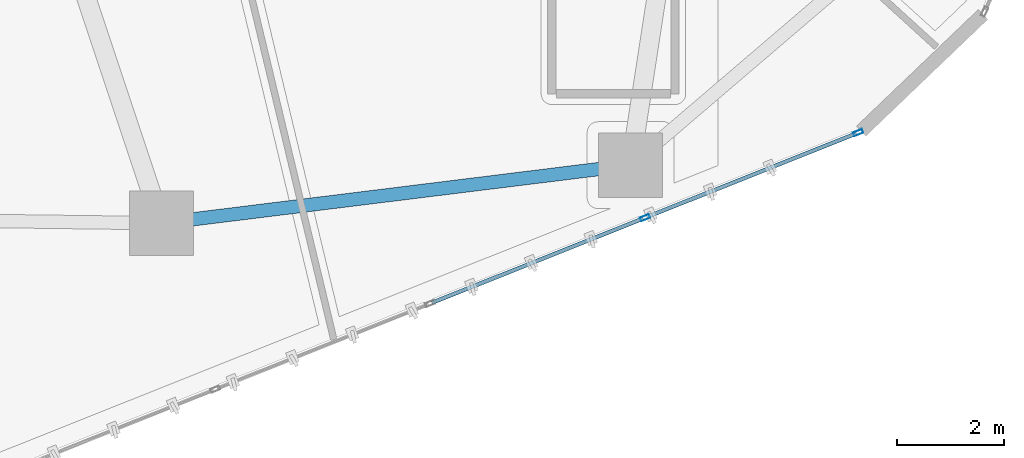
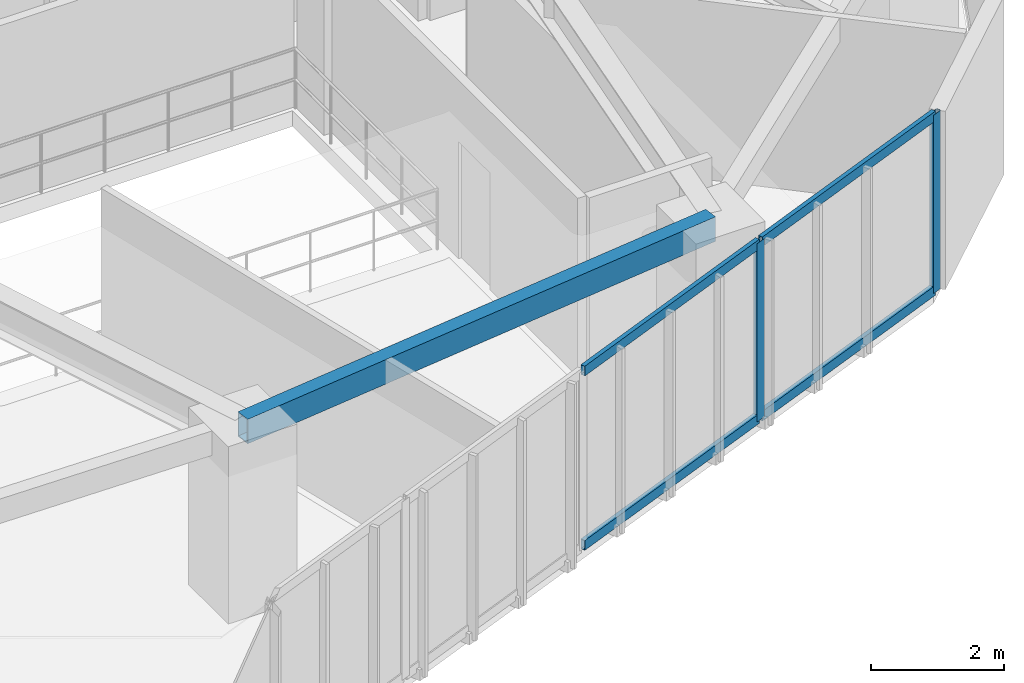
# One storey, part 5 of 22: 6 members, 1 beam, 1 element without a shape of its own.
"""IFC4 building model written with IfcOpenShell, lengths in metres."""

from ifc_helpers import new_model, si_unit, direction, frame, origin, origin_2d, place, context, subcontext, project, spatial, hollow_rectangle, extrude, source, transform, mapped, material, layer, layer_set, material_profile, profile_set, type_object, type_shapes, element, aggregate, save


model = new_model("IFC4")

# Units and contexts
model_context = context("Model", 3, precision=1e-05, world=origin(), true_north=direction((0.0, 1.0)))
body_context = subcontext(model_context, "Body", "Model", "MODEL_VIEW")
ifc_project = project(units=[si_unit("LENGTHUNIT", "METRE"), si_unit("AREAUNIT", "SQUARE_METRE"), si_unit("VOLUMEUNIT", "CUBIC_METRE"), si_unit("PLANEANGLEUNIT", "RADIAN"), si_unit("MASSUNIT", "GRAM", prefix="KILO")], contexts=[model_context])

# Site, building, storey
site_placement = place(None, origin())
site = spatial("IfcSite", under=ifc_project, at=site_placement, CompositionType="ELEMENT")
building_placement = place(site_placement, origin())
building = spatial("IfcBuilding", under=site, at=building_placement, Name="Talar Marvaseh", CompositionType="ELEMENT")
storey_placement = place(building_placement, frame((0.0, 0.0, 154.199951171875)))
storey = spatial("IfcBuildingStorey", under=building, at=storey_placement, Name="L40", CompositionType="ELEMENT", Elevation=154.199951171875)

# Beam
ifc_material_1 = material(Name="Steel S355", Category="steel")
ifc_material_profile_1 = material_profile(ifc_material_1, hollow_rectangle(XDim=0.25, YDim=0.449951171875, WallThickness=0.01611328125, at=origin_2d()), Name="RHS450x250x16")
ifc_profile_set_1 = profile_set([ifc_material_profile_1], Name="Steel S355")
beam_type = type_object("IfcBeamType", Name="Zone 2 Perimeter Spandrel Beam RHS450x250x16", PredefinedType="SPANDREL", material=ifc_profile_set_1)
beam_placement = place(storey_placement, frame((31.570068359375, 14.26806640625, 3.054931640625), z_axis=(-0.992426007218, -0.122843885468, 0.0), x_axis=(0.122843885468, -0.992426007218, 0.0)))
element("IfcBeam", 1, at=beam_placement, inside=storey, type_object=beam_type, Name="L40 Zone 2 Perimeter Spandrel Beam RHS450x250x16", PredefinedType="SPANDREL", context=body_context, shape_type="SweptSolid", body=[
    extrude(hollow_rectangle(XDim=0.25, YDim=0.449951171875, WallThickness=0.01611328125, at=origin_2d()), origin(), (0.0, 0.0, 1.0), 8.83203125),
])

# Curtain wall, members
ifc_material_2 = material(Name="Architectural Aluminium", Category="aluminium")
ifc_layer = layer(ifc_material_2, 0.199951171875)
ifc_layer_set = layer_set([ifc_layer], Name="Architectural Aluminium")
curtain_wall_type = type_object("IfcCurtainWallType", Name="Unitised Acoustic Library Curtain Wall Z2", PredefinedType="NOTDEFINED", material=ifc_layer_set)
curtain_wall_placement = place(storey_placement, origin())
curtain_wall = element("IfcCurtainWall", 2, at=curtain_wall_placement, inside=storey, type_object=curtain_wall_type, Name="L40 Unitised Acoustic Library Curtain Wall Z2", PredefinedType="NOTDEFINED")
ifc_material_profile_2 = material_profile(ifc_material_2, hollow_rectangle(XDim=0.074951171875, YDim=0.179931640625, WallThickness=0.0048828125, at=origin_2d()), Name="RHS180x75x5")
ifc_profile_set_2 = profile_set([ifc_material_profile_2], Name="Architectural Aluminium")
member_type_1 = type_object("IfcMemberType", Name="Unitised Curtain Wall Transom RHS180x75x5", PredefinedType="USERDEFINED", material=ifc_profile_set_2)
shared_shape_1 = source(origin(), body_context, "Body", "SweptSolid", [
    extrude(hollow_rectangle(XDim=0.074951171875, YDim=0.179931640625, WallThickness=0.0048828125, at=origin_2d()), origin(), (0.0, 0.0, 1.0), 4.24853515625),
])
member_1_placement = place(storey_placement, frame((31.806884765625, 13.2724609375, 0.03759765625), z_axis=(-0.928749893509, -0.370706939923, 0.0), x_axis=(0.370706939923, -0.928749893509, 0.0)))
member_1 = element("IfcMember", 3, at=member_1_placement, type_object=member_type_1, Name="CW-Z2 transom 2.1", ObjectType="TRANSOM", PredefinedType="USERDEFINED", context=body_context, shape_type="MappedRepresentation", body=[
    mapped(shared_shape_1, transform((0.0, 0.0, 0.0), x_axis=(1.0, 0.0, 0.0), y_axis=(0.0, 1.0, 0.0), z_axis=(0.0, 0.0, 1.0), scale=1.0)),
])
member_2_placement = place(storey_placement, frame((31.806884765625, 13.2724609375, 3.242431640625), z_axis=(-0.928749893509, -0.370706939923, 0.0), x_axis=(0.370706939923, -0.928749893509, 0.0)))
member_2 = element("IfcMember", 4, at=member_2_placement, type_object=member_type_1, Name="CW-Z2 transom 2.2", ObjectType="TRANSOM", PredefinedType="USERDEFINED", context=body_context, shape_type="MappedRepresentation", body=[
    mapped(shared_shape_1, transform((0.0, 0.0, 0.0), x_axis=(1.0, 0.0, 0.0), y_axis=(0.0, 1.0, 0.0), z_axis=(0.0, 0.0, 1.0), scale=1.0)),
])
shared_shape_2 = source(origin(), body_context, "Body", "SweptSolid", [
    extrude(hollow_rectangle(XDim=0.074951171875, YDim=0.179931640625, WallThickness=0.0048828125, at=origin_2d()), origin(), (0.0, 0.0, 1.0), 4.2109375),
])
type_shapes(member_type_1, [shared_shape_1, shared_shape_2])
member_3_placement = place(storey_placement, frame((35.78759765625, 14.861083984375, 0.03759765625), z_axis=(-0.928748338528, -0.370710835667, 0.0), x_axis=(0.370710835667, -0.928748338528, 0.0)))
member_3 = element("IfcMember", 5, at=member_3_placement, type_object=member_type_1, Name="CW-Z2 transom 1.1", ObjectType="TRANSOM", PredefinedType="USERDEFINED", context=body_context, shape_type="MappedRepresentation", body=[
    mapped(shared_shape_2, transform((0.0, 0.0, 0.0), x_axis=(1.0, 0.0, 0.0), y_axis=(0.0, 1.0, 0.0), z_axis=(0.0, 0.0, 1.0), scale=1.0)),
])
member_4_placement = place(storey_placement, frame((35.78759765625, 14.861083984375, 3.242431640625), z_axis=(-0.928748338528, -0.370710835667, 0.0), x_axis=(0.370710835667, -0.928748338528, 0.0)))
member_4 = element("IfcMember", 6, at=member_4_placement, type_object=member_type_1, Name="CW-Z2 transom 1.2", ObjectType="TRANSOM", PredefinedType="USERDEFINED", context=body_context, shape_type="MappedRepresentation", body=[
    mapped(shared_shape_2, transform((0.0, 0.0, 0.0), x_axis=(1.0, 0.0, 0.0), y_axis=(0.0, 1.0, 0.0), z_axis=(0.0, 0.0, 1.0), scale=1.0)),
])
ifc_material_profile_3 = material_profile(ifc_material_2, hollow_rectangle(XDim=0.074951171875, YDim=0.179931640625, WallThickness=0.0048828125, at=origin_2d()), Name="RHS180x75x5")
ifc_profile_set_3 = profile_set([ifc_material_profile_3], Name="Architectural Aluminium")
member_type_2 = type_object("IfcMemberType", Name="Unitised Curtain Wall Standard Mullion RHS180x75x5", PredefinedType="MULLION", material=ifc_profile_set_3)
shared_shape_3 = source(origin(), body_context, "Body", "SweptSolid", [
    extrude(hollow_rectangle(XDim=0.074951171875, YDim=0.179931640625, WallThickness=0.0048828125, at=origin_2d()), origin(), (0.0, 0.0, 1.0), 3.280029296875),
])
type_shapes(member_type_2, [shared_shape_3])
member_5_placement = place(storey_placement, frame((35.822509765625, 14.875, 0.0), z_axis=(0.0, 0.0, 1.0), x_axis=(0.370702278732, -0.928751753992, 0.0)))
member_5 = element("IfcMember", 7, at=member_5_placement, type_object=member_type_2, Name="CW-Z2 mullion 1", PredefinedType="MULLION", context=body_context, shape_type="MappedRepresentation", body=[
    mapped(shared_shape_3, transform((0.0, 0.0, 0.0), x_axis=(1.0, 0.0, 0.0), y_axis=(0.0, 1.0, 0.0), z_axis=(0.0, 0.0, 1.0), scale=1.0)),
])
member_6_placement = place(storey_placement, frame((31.841796875, 13.286376953125, 0.0), z_axis=(0.0, 0.0, 1.0), x_axis=(0.370702278732, -0.928751753992, 0.0)))
member_6 = element("IfcMember", 8, at=member_6_placement, type_object=member_type_2, Name="CW-Z2 mullion 2", PredefinedType="MULLION", context=body_context, shape_type="MappedRepresentation", body=[
    mapped(shared_shape_3, transform((0.0, 0.0, 0.0), x_axis=(1.0, 0.0, 0.0), y_axis=(0.0, 1.0, 0.0), z_axis=(0.0, 0.0, 1.0), scale=1.0)),
])
aggregate(curtain_wall, [member_5, member_6, member_3, member_4, member_1, member_2])

save(model, "model.ifc")
